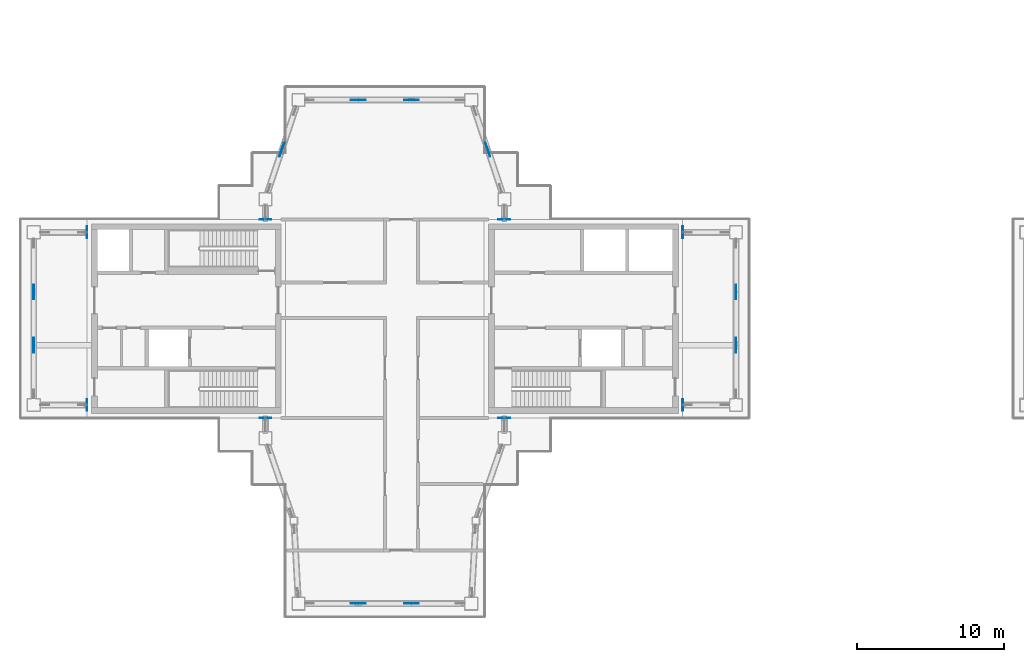
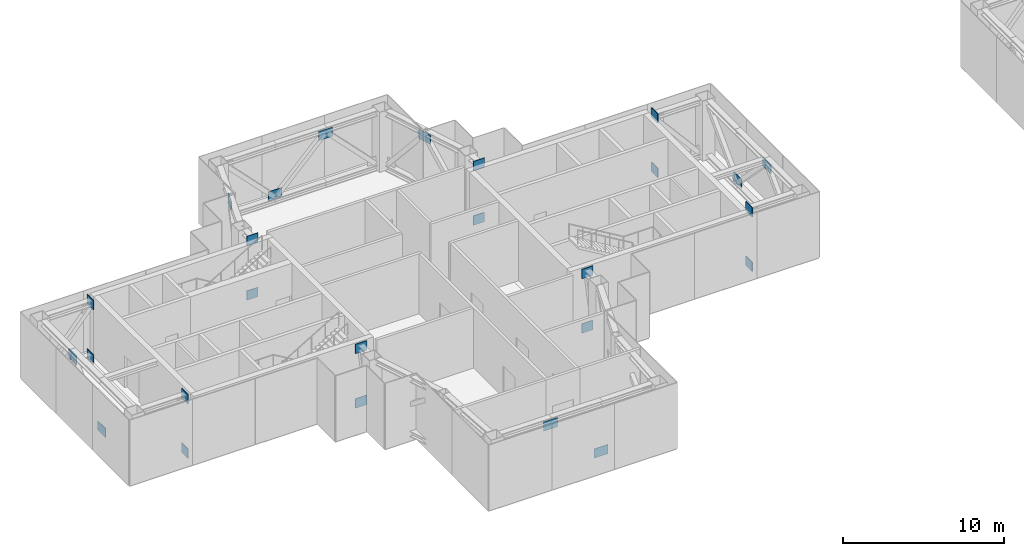
# One storey, part 11 of 18: 26 discrete accessories.
"""IFC4 building model written with IfcOpenShell, lengths in metres."""

from ifc_helpers import new_model, si_unit, direction, frame, origin, origin_2d, place, context, subcontext, project, spatial, rectangle, extrude, material, layer, layer_set, type_object, element, save


model = new_model("IFC4")

# Units and contexts
model_context = context("Model", 3, precision=1e-05, world=origin(), true_north=direction((0.0, 1.0)))
body_context = subcontext(model_context, "Body", "Model", "MODEL_VIEW")
ifc_project = project(units=[si_unit("LENGTHUNIT", "METRE"), si_unit("AREAUNIT", "SQUARE_METRE"), si_unit("VOLUMEUNIT", "CUBIC_METRE"), si_unit("PLANEANGLEUNIT", "RADIAN"), si_unit("MASSUNIT", "GRAM", prefix="KILO")], contexts=[model_context])

# Site, building, storey
site_placement = place(None, origin())
site = spatial("IfcSite", under=ifc_project, at=site_placement, CompositionType="ELEMENT")
building_placement = place(site_placement, origin())
building = spatial("IfcBuilding", under=site, at=building_placement, Name="Shamsa Quay Exchange Towers", CompositionType="ELEMENT")
storey_placement = place(building_placement, frame((0.0, 0.0, 273.300048828125)))
storey = spatial("IfcBuildingStorey", under=building, at=storey_placement, Name="L66", CompositionType="ELEMENT", Elevation=273.300048828125)

# Discrete accessories
ifc_material = material(Name="Steel S355", Category="steel")
ifc_layer_1 = layer(ifc_material, 0.050048828125)
ifc_layer_set_1 = layer_set([ifc_layer_1], Name="Cast-in plate 50x800x716")
discrete_accessory_type_1 = type_object("IfcDiscreteAccessoryType", Name="Cast-in plate 50x800x716", PredefinedType="ANCHORPLATE", material=ifc_layer_set_1)
for number, where, name in (
    (1, (-54.0, -5.875, 3.98388671875), "Cast-in plate T1 L66"),
    (2, (-54.0, -5.875, -0.14990234375), "Cast-in plate T1 L66"),
):
    element("IfcDiscreteAccessory", number, at=place(storey_placement, frame(where)), inside=storey, type_object=discrete_accessory_type_1, Name=name, PredefinedType="ANCHORPLATE", context=body_context, shape_type="SweptSolid", body=[
        extrude(rectangle(XDim=0.050048828125, YDim=0.800048828125, at=origin_2d()), origin(), (0.0, 0.0, 1.0), 0.716064453125),
    ])
for number, where, z_axis, x_axis, name in (
    (3, (-41.875, -6.75, 3.98388671875), (0.0, 0.0, 1.0), (0.0, 1.0, 0.0), "Cast-in plate T1 L66"),
    (4, (-41.875, -6.75, -0.14990234375), (0.0, 0.0, 1.0), (0.0, 1.0, 0.0), "Cast-in plate T1 L66"),
    (5, (-25.625, -6.75, 3.98388671875), (0.0, 0.0, 1.0), (0.0, 1.0, 0.0), "Cast-in plate T1 L66"),
    (6, (-25.625, -6.75, -0.14990234375), (0.0, 0.0, 1.0), (0.0, 1.0, 0.0), "Cast-in plate T1 L66"),
    (7, (-13.5, -5.875, 3.98388671875), (0.0, 0.0, 1.0), (-1.0, 0.0, 0.0), "Cast-in plate T1 L66"),
    (8, (-13.5, -5.875, -0.14990234375), (0.0, 0.0, 1.0), (-1.0, 0.0, 0.0), "Cast-in plate T1 L66"),
    (9, (-13.5, 5.875, 3.98388671875), (0.0, 0.0, 1.0), (-1.0, 0.0, 0.0), "Cast-in plate T1 L66"),
    (10, (-13.5, 5.875, -0.14990234375), (0.0, 0.0, 1.0), (-1.0, 0.0, 0.0), "Cast-in plate T1 L66"),
    (11, (-25.625, 6.75, 3.98388671875), (0.0, 0.0, 1.0), (0.0, -1.0, 0.0), "Cast-in plate T1 L66"),
    (12, (-25.625, 6.75, -0.14990234375), (0.0, 0.0, 1.0), (0.0, -1.0, 0.0), "Cast-in plate T1 L66"),
    (13, (-41.875, 6.75, 3.98388671875), (0.0, 0.0, 1.0), (0.0, -1.0, 0.0), "Cast-in plate T1 L66"),
    (14, (-41.875, 6.75, -0.14990234375), (0.0, 0.0, 1.0), (0.0, -1.0, 0.0), "Cast-in plate T1 L66"),
):
    element("IfcDiscreteAccessory", number, at=place(storey_placement, frame(where, z_axis=z_axis, x_axis=x_axis)), inside=storey, type_object=discrete_accessory_type_1, Name=name, PredefinedType="ANCHORPLATE", context=body_context, shape_type="SweptSolid", body=[
        extrude(rectangle(XDim=0.050048828125, YDim=0.800048828125, at=origin_2d()), origin(), (0.0, 0.0, 1.0), 0.716064453125),
    ])
for number, where, name in (
    (15, (-54.0, 5.875, 3.98388671875), "Cast-in plate T1 L66"),
    (16, (-54.0, 5.875, -0.14990234375), "Cast-in plate T1 L66"),
):
    element("IfcDiscreteAccessory", number, at=place(storey_placement, frame(where)), inside=storey, type_object=discrete_accessory_type_1, Name=name, PredefinedType="ANCHORPLATE", context=body_context, shape_type="SweptSolid", body=[
        extrude(rectangle(XDim=0.050048828125, YDim=0.800048828125, at=origin_2d()), origin(), (0.0, 0.0, 1.0), 0.716064453125),
    ])
ifc_layer_2 = layer(ifc_material, 0.0400390625)
ifc_layer_set_2 = layer_set([ifc_layer_2], Name="Gusset plate 1000x700x40")
discrete_accessory_type_2 = type_object("IfcDiscreteAccessoryType", Name="Gusset plate 1000x700x40", PredefinedType="BRACKET", material=ifc_layer_set_2)
for number, where, name in (
    (17, (-35.558349609375, -19.375, 3.583984375), "Gusset plate T1 L66"),
    (18, (-31.941650390625, -19.375, 0.26611328125), "Gusset plate T1 L66"),
):
    element("IfcDiscreteAccessory", number, at=place(storey_placement, frame(where)), inside=storey, type_object=discrete_accessory_type_2, Name=name, PredefinedType="BRACKET", context=body_context, shape_type="SweptSolid", body=[
        extrude(rectangle(XDim=1.0, YDim=0.0400390625, at=origin_2d()), origin(), (0.0, 0.0, 1.0), 0.699951171875),
    ])
for number, where, z_axis, x_axis, name in (
    (19, (-9.875, -1.808349609375, 3.583984375), (0.0, 0.0, 1.0), (0.0, 1.0, 0.0), "Gusset plate T1 L66"),
    (20, (-9.875, 1.808349609375, 0.26611328125), (0.0, 0.0, 1.0), (0.0, 1.0, 0.0), "Gusset plate T1 L66"),
    (21, (-26.75, 11.5, 3.583984375), (0.0, 0.0, 1.0), (-0.316227766018, 0.94868329805, 0.0), "Gusset plate T1 L66"),
    (22, (-31.941650390625, 14.875, 3.583984375), (0.0, 0.0, 1.0), (-1.0, 0.0, 0.0), "Gusset plate T1 L66"),
    (23, (-35.558349609375, 14.875, 0.26611328125), (0.0, 0.0, 1.0), (-1.0, 0.0, 0.0), "Gusset plate T1 L66"),
    (24, (-40.75, 11.5, 3.583984375), (0.0, 0.0, 1.0), (-0.316227766018, -0.94868329805, 0.0), "Gusset plate T1 L66"),
    (25, (-57.625, 1.808349609375, 3.583984375), (0.0, 0.0, 1.0), (0.0, -1.0, 0.0), "Gusset plate T1 L66"),
    (26, (-57.625, -1.808349609375, 0.26611328125), (0.0, 0.0, 1.0), (0.0, -1.0, 0.0), "Gusset plate T1 L66"),
):
    element("IfcDiscreteAccessory", number, at=place(storey_placement, frame(where, z_axis=z_axis, x_axis=x_axis)), inside=storey, type_object=discrete_accessory_type_2, Name=name, PredefinedType="BRACKET", context=body_context, shape_type="SweptSolid", body=[
        extrude(rectangle(XDim=1.0, YDim=0.0400390625, at=origin_2d()), origin(), (0.0, 0.0, 1.0), 0.699951171875),
    ])

save(model, "model.ifc")
